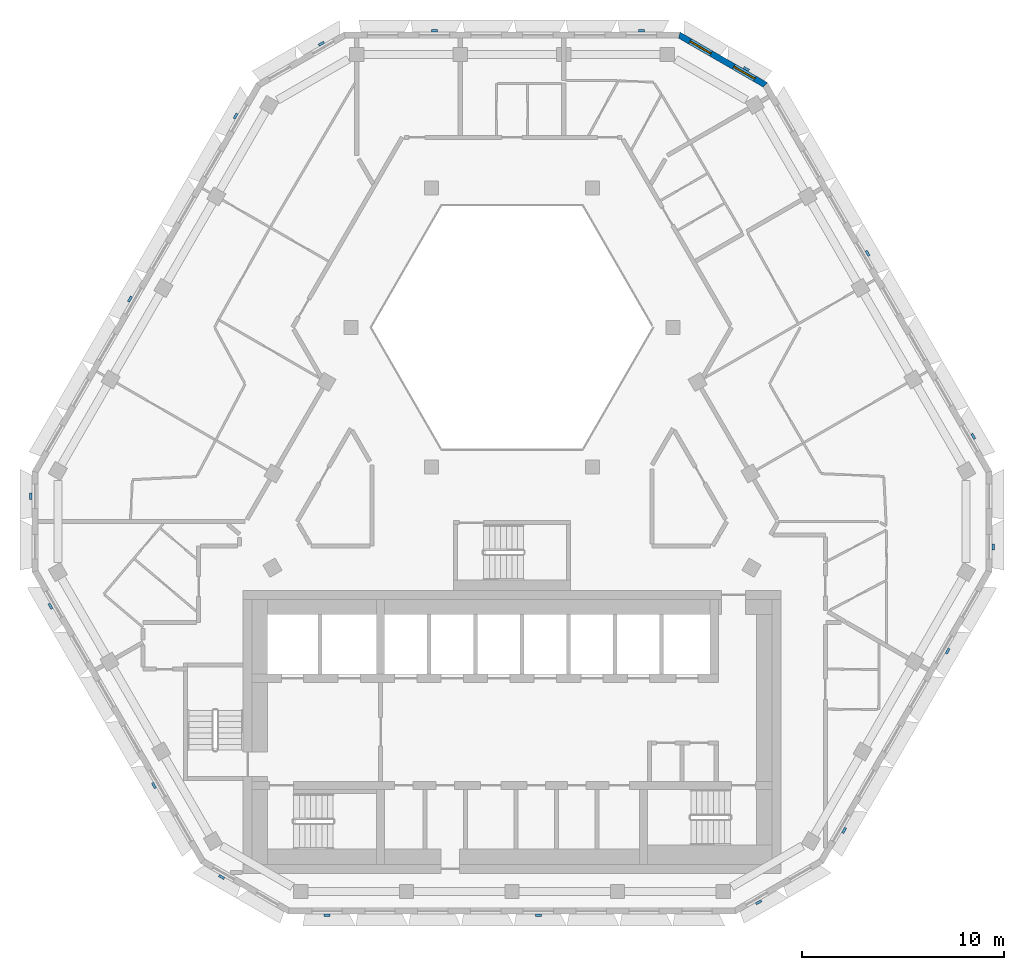
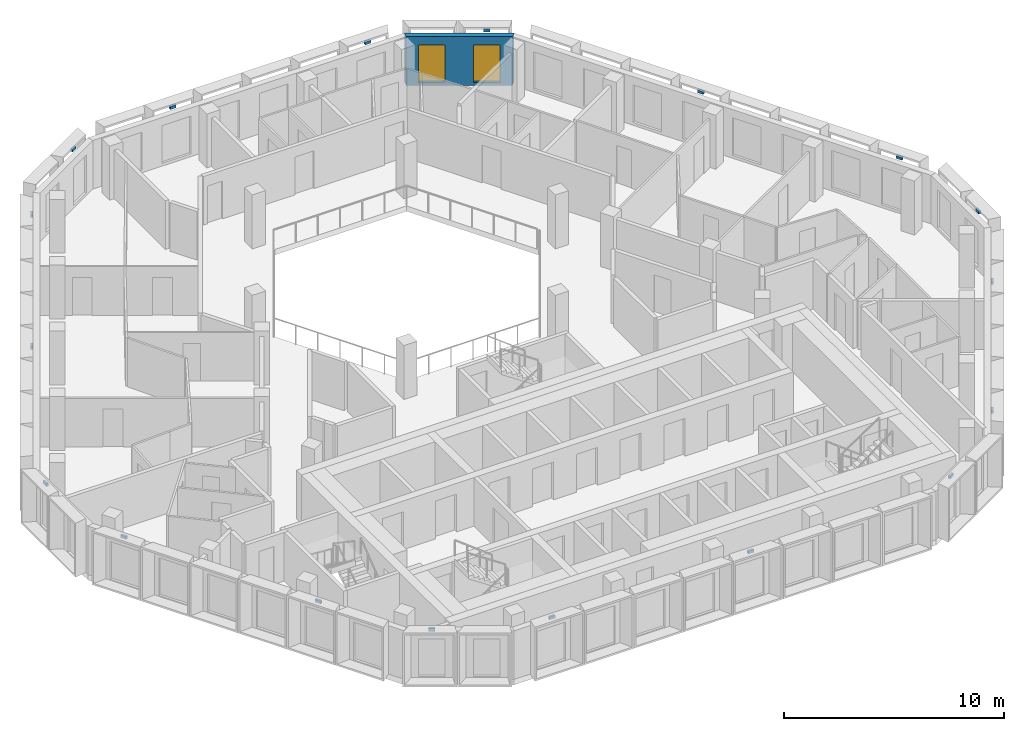
# One storey, part 9 of 16: 18 discrete accessories, 2 windows, 1 wall, 2 openings.
"""IFC4 building model written with IfcOpenShell, lengths in metres."""

from ifc_helpers import new_model, si_unit, direction, frame, frame_2d, origin, place, context, subcontext, project, spatial, polyline, rectangle, outline, extrude, source, transform, mapped, material, layer, layer_set, type_object, type_shapes, element, fill, save


model = new_model("IFC4")

# Units and contexts
model_context = context("Model", 3, precision=1e-05, world=origin(), true_north=direction((0.0, 1.0)))
body_context = subcontext(model_context, "Body", "Model", "MODEL_VIEW")
ifc_project = project(units=[si_unit("LENGTHUNIT", "METRE"), si_unit("AREAUNIT", "SQUARE_METRE"), si_unit("VOLUMEUNIT", "CUBIC_METRE"), si_unit("PLANEANGLEUNIT", "RADIAN"), si_unit("MASSUNIT", "GRAM", prefix="KILO")], contexts=[model_context])

# Site, building, storey
site_placement = place(None, origin())
site = spatial("IfcSite", under=ifc_project, at=site_placement, CompositionType="ELEMENT")
building_placement = place(site_placement, origin())
building = spatial("IfcBuilding", under=site, at=building_placement, Name="Beryl Residences", CompositionType="ELEMENT")
storey_placement = place(building_placement, frame((0.0, 0.0, 232.800048828125)))
storey = spatial("IfcBuildingStorey", under=building, at=storey_placement, Name="L72", CompositionType="ELEMENT", Elevation=232.800048828125)

# Wall, openings, windows
ifc_material_1 = material(Name="Composite metal panel with mineral wool insulation")
ifc_layer = layer(ifc_material_1, 0.300048828125)
ifc_layer_set = layer_set([ifc_layer], Name="ES1 pale metal composite panel wall 300 mm")
wall_type = type_object("IfcWallType", Name="ES1 pale metal composite panel wall 300 mm", PredefinedType="SOLIDWALL", material=ifc_layer_set)
wall_placement = place(storey_placement, frame((12.569091796875, 19.969970703125, 0.0), z_axis=(0.0, 0.0, 1.0), x_axis=(-0.866022959057, 0.500004234368, 0.0)))
wall = element("IfcWall", 1, at=wall_placement, inside=storey, type_object=wall_type, Name="ES1 external wall L72 NE-N", PredefinedType="SOLIDWALL", context=body_context, shape_type="SweptSolid", body=[
    extrude(outline(polyline([(0.0, -0.14990234375), (5.0, -0.14990234375), (4.919677734375, 0.14990234375), (0.080322265625, 0.14990234375), (0.0, -0.14990234375)])), origin(), (0.0, 0.0, 1.0), 2.699951171875),
])
opening_1_placement = place(wall_placement, frame((0.64990234375, 0.0, 0.14990234375)))
opening_1 = element("IfcOpeningElement", 2, at=opening_1_placement, cuts=wall, Name="Opening W2", PredefinedType="OPENING", context=body_context, shape_type="SweptSolid", body=[
    extrude(rectangle(XDim=1.199951171875, YDim=2.10009765625, at=frame_2d((0.60009765625, 1.050048828125))), frame((0.0, 0.159912109375, 0.0), z_axis=(0.0, -1.0, 0.0), x_axis=(1.0, 0.0, 0.0)), (0.0, 0.0, 1.0), 0.320068359375),
])
opening_2_placement = place(wall_placement, frame((3.14990234375, 0.0, 0.14990234375)))
opening_2 = element("IfcOpeningElement", 3, at=opening_2_placement, cuts=wall, Name="Opening W2", PredefinedType="OPENING", context=body_context, shape_type="SweptSolid", body=[
    extrude(rectangle(XDim=1.199951171875, YDim=2.10009765625, at=frame_2d((0.60009765625, 1.050048828125))), frame((0.0, 0.159912109375, 0.0), z_axis=(0.0, -1.0, 0.0), x_axis=(1.0, 0.0, 0.0)), (0.0, 0.0, 1.0), 0.320068359375),
])
ifc_material_2 = material(Name="Aluminium and clear glass", Category="aluminium")
window_type = type_object("IfcWindowType", Name="W2 chamfer window 1200 x 2100 mm", PartitioningType="SINGLE_PANEL", PredefinedType="WINDOW", material=ifc_material_2)
window_1_placement = place(opening_1_placement, origin())
window_1 = element("IfcWindow", 4, at=window_1_placement, inside=storey, type_object=window_type, Name="W2 window L72 NE-N 1", OverallHeight=2.10009765625, OverallWidth=1.199951171875, PartitioningType="SINGLE_PANEL", PredefinedType="WINDOW", context=body_context, shape_type="SweptSolid", body=[
    extrude(rectangle(XDim=1.199951171875, YDim=2.10009765625, at=frame_2d((0.60009765625, 1.050048828125))), frame((0.0, 0.030029296875, 0.0), z_axis=(0.0, -1.0, 0.0), x_axis=(1.0, 0.0, 0.0)), (0.0, 0.0, 1.0), 0.06005859375),
])
fill(opening_1, window_1)
window_2_placement = place(opening_2_placement, origin())
window_2 = element("IfcWindow", 5, at=window_2_placement, inside=storey, type_object=window_type, Name="W2 window L72 NE-N 2", OverallHeight=2.10009765625, OverallWidth=1.199951171875, PartitioningType="SINGLE_PANEL", PredefinedType="WINDOW", context=body_context, shape_type="SweptSolid", body=[
    extrude(rectangle(XDim=1.199951171875, YDim=2.10009765625, at=frame_2d((0.60009765625, 1.050048828125))), frame((0.0, 0.030029296875, 0.0), z_axis=(0.0, -1.0, 0.0), x_axis=(1.0, 0.0, 0.0)), (0.0, 0.0, 1.0), 0.06005859375),
])
fill(opening_2, window_2)

# Discrete accessories
ifc_material_3 = material(Name="Steel S355", Category="steel")
discrete_accessory_type = type_object("IfcDiscreteAccessoryType", Name="BR1 frame bracket 300 x 120 x 150 mm", PredefinedType="BRACKET", material=ifc_material_3)
shared_shape = source(origin(), body_context, "Body", "SweptSolid", [
    extrude(outline(polyline([(-0.14990234375, 0.0), (0.14990234375, 0.0), (0.14990234375, 0.1201171875), (-0.14990234375, 0.1201171875), (-0.14990234375, 0.0)])), origin(), (0.0, 0.0, 1.0), 0.14990234375),
])
type_shapes(discrete_accessory_type, [shared_shape])
for number, where, z_axis, x_axis, name in (
    (6, (6.39892578125, 22.60009765625, 2.75), (0.0, 0.0, 1.0), (1.0, 0.0, 0.0), "BR1 bracket L72 N 1"),
    (7, (-3.839111328125, 22.60009765625, 2.75), (0.0, 0.0, 1.0), (1.0, 0.0, 0.0), "BR1 bracket L72 N 5"),
    (8, (-9.39599609375, 21.97509765625, 2.75), (0.0, 0.0, 1.0), (0.866025403784, 0.5, 0.0), "BR1 bracket L72 N-NW 1"),
    (9, (-13.614013671875, 18.4189453125, 2.75), (0.0, 0.0, 1.0), (0.5, 0.866025403784, 0.0), "BR1 bracket L72 NW 1"),
    (10, (-18.839111328125, 9.368896484375, 2.75), (0.0, 0.0, 1.0), (0.5, 0.866025403784, 0.0), "BR1 bracket L72 NW 5"),
    (11, (-23.72900390625, -0.35009765625, 2.75), (0.0, 0.0, 1.0), (0.0, 1.0, 0.0), "BR1 bracket L72 NW-SW 1"),
    (12, (-22.77099609375, -5.758056640625, 2.75), (0.0, 0.0, 1.0), (-0.5, 0.866025403784, 0.0), "BR1 bracket L72 SW 1"),
    (13, (-17.653076171875, -14.6240234375, 2.75), (0.0, 0.0, 1.0), (-0.5, 0.866025403784, 0.0), "BR1 bracket L72 SW 5"),
    (14, (-14.33203125, -19.125, 2.75), (0.0, 0.0, 1.0), (-0.866025403784, 0.5, 0.0), "BR1 bracket L72 SW-S 1"),
    (15, (-9.14404296875, -21.0, 2.75), (0.0, 0.0, 1.0), (-1.0, 0.0, 0.0), "BR1 bracket L72 S 1"),
    (16, (1.305908203125, -21.0, 2.75), (0.0, 0.0, 1.0), (-1.0, 0.0, 0.0), "BR1 bracket L72 S 5"),
    (17, (12.16796875, -20.375, 2.75), (0.0, 0.0, 1.0), (-0.866025403784, -0.5, 0.0), "BR1 bracket L72 S-SE 1"),
    (18, (16.373046875, -16.842041015625, 2.75), (0.0, 0.0, 1.0), (-0.5, -0.866025403784, 0.0), "BR1 bracket L72 SE 1"),
    (19, (21.490966796875, -7.97607421875, 2.75), (0.0, 0.0, 1.0), (-0.5, -0.866025403784, 0.0), "BR1 bracket L72 SE 5"),
    (20, (23.72900390625, -2.85009765625, 2.75), (0.0, 0.0, 1.0), (0.0, -1.0, 0.0), "BR1 bracket L72 SE-NE 1"),
    (21, (22.758056640625, 2.5810546875, 2.75), (0.0, 0.0, 1.0), (0.5, -0.866025403784, 0.0), "BR1 bracket L72 NE 1"),
    (22, (17.532958984375, 11.631103515625, 2.75), (0.0, 0.0, 1.0), (0.5, -0.866025403784, 0.0), "BR1 bracket L72 NE 5"),
    (23, (11.56103515625, 20.72509765625, 2.75), (0.0, 0.0, 1.0), (0.866025403784, -0.5, 0.0), "BR1 bracket L72 NE-N 1"),
):
    element("IfcDiscreteAccessory", number, at=place(storey_placement, frame(where, z_axis=z_axis, x_axis=x_axis)), inside=storey, type_object=discrete_accessory_type, Name=name, PredefinedType="BRACKET", context=body_context, shape_type="MappedRepresentation", body=[
        mapped(shared_shape, transform((0.0, 0.0, 0.0))),
    ])

save(model, "model.ifc")
